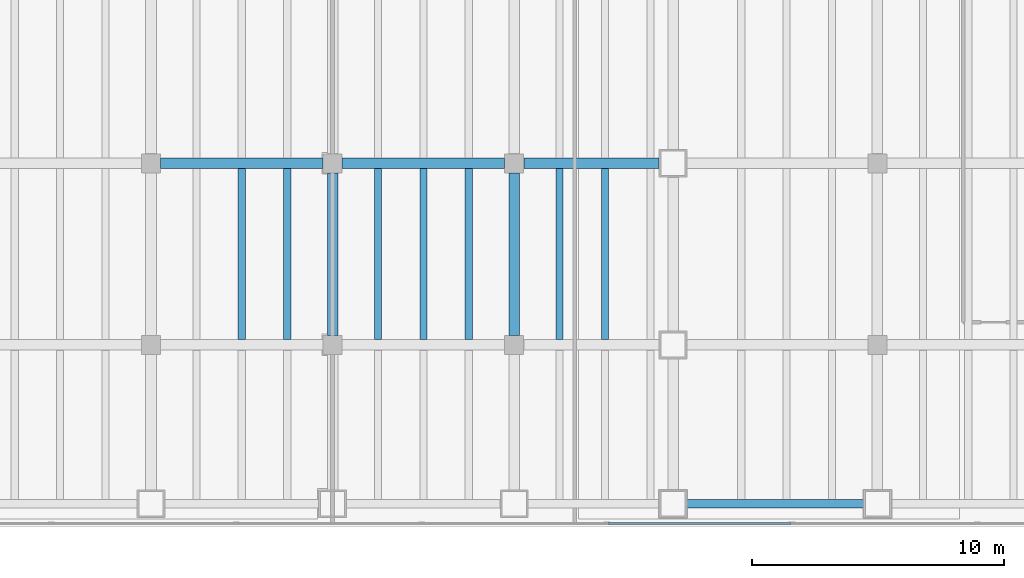
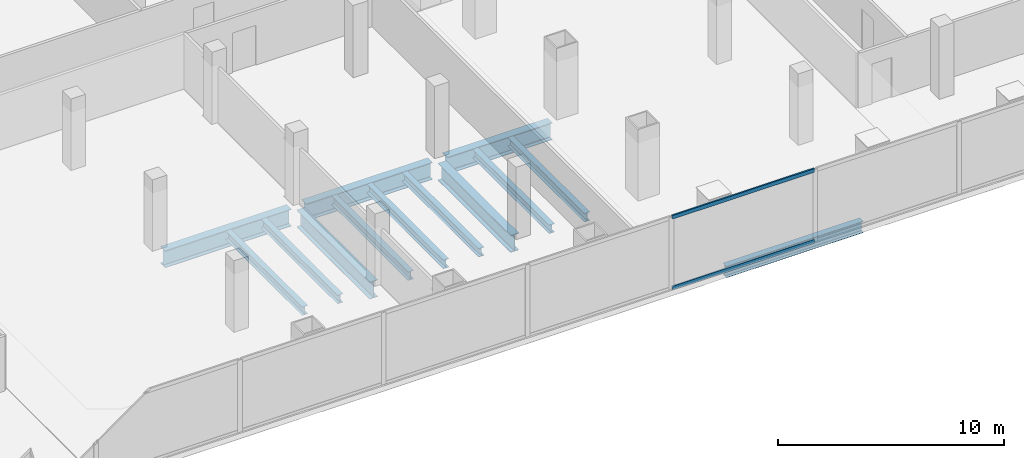
# One storey, part 6 of 32: 13 beams, 2 members, 1 element without a shape of its own.
"""IFC4 building model written with IfcOpenShell, lengths in metres."""

from ifc_helpers import new_model, si_unit, direction, frame, origin, origin_2d, place, context, subcontext, project, spatial, hollow_rectangle, i_section, extrude, material, material_profile, profile_set, type_object, element, aggregate, save


model = new_model("IFC4")

# Units and contexts
model_context = context("Model", 3, precision=1e-05, world=origin(), true_north=direction((0.0, 1.0)))
body_context = subcontext(model_context, "Body", "Model", "MODEL_VIEW")
ifc_project = project(units=[si_unit("LENGTHUNIT", "METRE"), si_unit("AREAUNIT", "SQUARE_METRE"), si_unit("VOLUMEUNIT", "CUBIC_METRE"), si_unit("PLANEANGLEUNIT", "RADIAN"), si_unit("MASSUNIT", "GRAM", prefix="KILO")], contexts=[model_context])

# Site, building, storey
site_placement = place(None, origin())
site = spatial("IfcSite", under=ifc_project, at=site_placement, CompositionType="ELEMENT")
building_placement = place(site_placement, origin())
building = spatial("IfcBuilding", under=site, at=building_placement, Name="Cobrela Telecom Tower", CompositionType="ELEMENT")
storey_placement = place(building_placement, frame((0.0, 0.0, 22.050048828125)))
storey = spatial("IfcBuildingStorey", under=building, at=storey_placement, Name="L05", CompositionType="ELEMENT", Elevation=22.050048828125)

# Beams
ifc_material_1 = material(Name="Steel ASTM A992 Grade 50", Category="steel")
ifc_material_profile_1 = material_profile(ifc_material_1, i_section(OverallWidth=0.4189453125, OverallDepth=0.927001953125, WebThickness=0.019287109375, FlangeThickness=0.031982421875, FilletRadius=0.02392578125, at=origin_2d()), Name="W36X231")
ifc_profile_set_1 = profile_set([ifc_material_profile_1], Name="Steel ASTM A992 Grade 50")
beam_type_1 = type_object("IfcBeamType", Name="BM-GIRD-02", PredefinedType="USERDEFINED", material=ifc_profile_set_1)
for number, where, z_axis, x_axis, name in (
    (1, (29.179931640625, 14.39990234375, -0.753662109375), (1.0, 0.0, 0.0), (0.0, 1.0, 0.0), "L05 Primary Girder X21"),
    (2, (36.3798828125, 14.39990234375, -0.753662109375), (1.0, 0.0, 0.0), (0.0, 1.0, 0.0), "L05 Primary Girder X22"),
):
    element("IfcBeam", number, at=place(storey_placement, frame(where, z_axis=z_axis, x_axis=x_axis)), inside=storey, type_object=beam_type_1, Name=name, ObjectType="GIRDER", PredefinedType="USERDEFINED", context=body_context, shape_type="SweptSolid", body=[
        extrude(i_section(OverallWidth=0.4189453125, OverallDepth=0.927001953125, WebThickness=0.019287109375, FlangeThickness=0.031982421875, FilletRadius=0.02392578125, at=origin_2d()), origin(), (0.0, 0.0, 1.0), 6.440185546875),
    ])
beam_1_placement = place(storey_placement, frame((43.580078125, 14.39990234375, -0.753662109375), z_axis=(1.0, 0.0, 0.0), x_axis=(0.0, 1.0, 0.0)))
element("IfcBeam", 3, at=beam_1_placement, inside=storey, type_object=beam_type_1, Name="L05 Primary Girder X23", ObjectType="GIRDER", PredefinedType="USERDEFINED", context=body_context, shape_type="SweptSolid", body=[
    extrude(i_section(OverallWidth=0.4189453125, OverallDepth=0.927001953125, WebThickness=0.019287109375, FlangeThickness=0.031982421875, FilletRadius=0.02392578125, at=origin_2d()), origin(), (0.0, 0.0, 1.0), 5.364990234375),
])
for number, where, z_axis, x_axis, name in (
    (4, (36.0, 7.580078125, -0.753662109375), (0.0, 1.0, 0.0), (-1.0, 0.0, 0.0), "L05 Primary Girder Y72"),
    (5, (43.199951171875, 7.580078125, -0.753662109375), (0.0, 1.0, 0.0), (-1.0, 0.0, 0.0), "L05 Primary Girder Y79"),
):
    element("IfcBeam", number, at=place(storey_placement, frame(where, z_axis=z_axis, x_axis=x_axis)), inside=storey, type_object=beam_type_1, Name=name, ObjectType="GIRDER", PredefinedType="USERDEFINED", context=body_context, shape_type="SweptSolid", body=[
        extrude(i_section(OverallWidth=0.4189453125, OverallDepth=0.927001953125, WebThickness=0.019287109375, FlangeThickness=0.031982421875, FilletRadius=0.02392578125, at=origin_2d()), origin(), (0.0, 0.0, 1.0), 6.43994140625),
    ])
ifc_material_profile_2 = material_profile(ifc_material_1, i_section(OverallWidth=0.281982421875, OverallDepth=0.467041015625, WebThickness=0.01220703125, FlangeThickness=0.01953125, FilletRadius=0.012939453125, at=origin_2d()), Name="W18X86")
ifc_profile_set_2 = profile_set([ifc_material_profile_2], Name="Steel ASTM A992 Grade 50")
beam_type_2 = type_object("IfcBeamType", Name="BM-JOIST-02", PredefinedType="JOIST", material=ifc_profile_set_2)
for number, where, z_axis, x_axis, name in (
    (6, (32.39990234375, 7.41455078125, -0.5234375), (0.0, 1.0, 0.0), (-1.0, 0.0, 0.0), "L05 Secondary Composite Floor Beam J59"),
    (7, (34.199951171875, 7.41455078125, -0.5234375), (0.0, 1.0, 0.0), (-1.0, 0.0, 0.0), "L05 Secondary Composite Floor Beam J64"),
    (8, (37.800048828125, 7.41455078125, -0.5234375), (0.0, 1.0, 0.0), (-1.0, 0.0, 0.0), "L05 Secondary Composite Floor Beam J71"),
    (9, (39.60009765625, 7.41455078125, -0.5234375), (0.0, 1.0, 0.0), (-1.0, 0.0, 0.0), "L05 Secondary Composite Floor Beam J78"),
    (10, (41.39990234375, 7.41455078125, -0.5234375), (0.0, 1.0, 0.0), (-1.0, 0.0, 0.0), "L05 Secondary Composite Floor Beam J85"),
    (11, (45.0, 7.41455078125, -0.5234375), (0.0, 1.0, 0.0), (-1.0, 0.0, 0.0), "L05 Secondary Composite Floor Beam J92"),
    (12, (46.800048828125, 7.41455078125, -0.5234375), (0.0, 1.0, 0.0), (-1.0, 0.0, 0.0), "L05 Secondary Composite Floor Beam J95"),
):
    element("IfcBeam", number, at=place(storey_placement, frame(where, z_axis=z_axis, x_axis=x_axis)), inside=storey, type_object=beam_type_2, Name=name, PredefinedType="JOIST", context=body_context, shape_type="SweptSolid", body=[
        extrude(i_section(OverallWidth=0.281982421875, OverallDepth=0.467041015625, WebThickness=0.01220703125, FlangeThickness=0.01953125, FilletRadius=0.012939453125, at=origin_2d()), origin(), (0.0, 0.0, 1.0), 6.77099609375),
    ])
ifc_material_profile_3 = material_profile(ifc_material_1, i_section(OverallWidth=0.324951171875, OverallDepth=0.612060546875, WebThickness=0.0126953125, FlangeThickness=0.01904296875, FilletRadius=0.014892578125, at=origin_2d()), Name="W24X104")
ifc_profile_set_3 = profile_set([ifc_material_profile_3], Name="Steel ASTM A992 Grade 50")
beam_type_3 = type_object("IfcBeamType", Name="BM-SPAND-02", PredefinedType="SPANDREL", material=ifc_profile_set_3)
beam_2_placement = place(storey_placement, frame((50.054931640625, 0.89990234375, -0.595947265625), z_axis=(1.0, 0.0, 0.0), x_axis=(0.0, 1.0, 0.0)))
element("IfcBeam", 13, at=beam_2_placement, inside=storey, type_object=beam_type_3, Name="L05 Perimeter Spandrel X06", PredefinedType="SPANDREL", context=body_context, shape_type="SweptSolid", body=[
    extrude(i_section(OverallWidth=0.324951171875, OverallDepth=0.612060546875, WebThickness=0.0126953125, FlangeThickness=0.01904296875, FilletRadius=0.014892578125, at=origin_2d()), origin(), (0.0, 0.0, 1.0), 6.989990234375),
])

# Curtain wall, members
ifc_material_2 = material(Name="Anodized Bronze Aluminium 6063-T6", Category="aluminium")
curtain_wall_type = type_object("IfcCurtainWallType", Name="CW-SYS-CONC", PredefinedType="USERDEFINED", material=ifc_material_2)
curtain_wall_placement = place(storey_placement, origin())
curtain_wall = element("IfcCurtainWall", 14, at=curtain_wall_placement, inside=storey, type_object=curtain_wall_type, Name="L05 Unitised Bronze Curtain Wall 17", ObjectType="UNITISED CURTAIN WALL", PredefinedType="USERDEFINED")
ifc_material_profile_4 = material_profile(ifc_material_2, hollow_rectangle(XDim=0.080078125, YDim=0.199951171875, WallThickness=0.00390625, at=origin_2d()), Name="ALU 80x200x4")
ifc_profile_set_4 = profile_set([ifc_material_profile_4], Name="Anodized Bronze Aluminium 6063-T6")
member_type = type_object("IfcMemberType", Name="CW-SYS-CONC-TRN", PredefinedType="USERDEFINED", material=ifc_profile_set_4)
member_1_placement = place(storey_placement, frame((54.172607421875, 0.1201171875, 0.0400390625), z_axis=(-1.0, 0.0, 0.0), x_axis=(0.0, -1.0, 0.0)))
member_1 = element("IfcMember", 15, at=member_1_placement, type_object=member_type, Name="CW-CONC transom 5.1", ObjectType="TRANSOM", PredefinedType="USERDEFINED", context=body_context, shape_type="SweptSolid", body=[
    extrude(hollow_rectangle(XDim=0.080078125, YDim=0.199951171875, WallThickness=0.00390625, at=origin_2d()), origin(), (0.0, 0.0, 1.0), 7.26171875),
])
member_2_placement = place(storey_placement, frame((54.172607421875, 0.1201171875, 3.85986328125), z_axis=(-1.0, 0.0, 0.0), x_axis=(0.0, -1.0, 0.0)))
member_2 = element("IfcMember", 16, at=member_2_placement, type_object=member_type, Name="CW-CONC transom 5.2", ObjectType="TRANSOM", PredefinedType="USERDEFINED", context=body_context, shape_type="SweptSolid", body=[
    extrude(hollow_rectangle(XDim=0.080078125, YDim=0.199951171875, WallThickness=0.00390625, at=origin_2d()), origin(), (0.0, 0.0, 1.0), 7.26171875),
])
aggregate(curtain_wall, [member_1, member_2])

save(model, "model.ifc")
